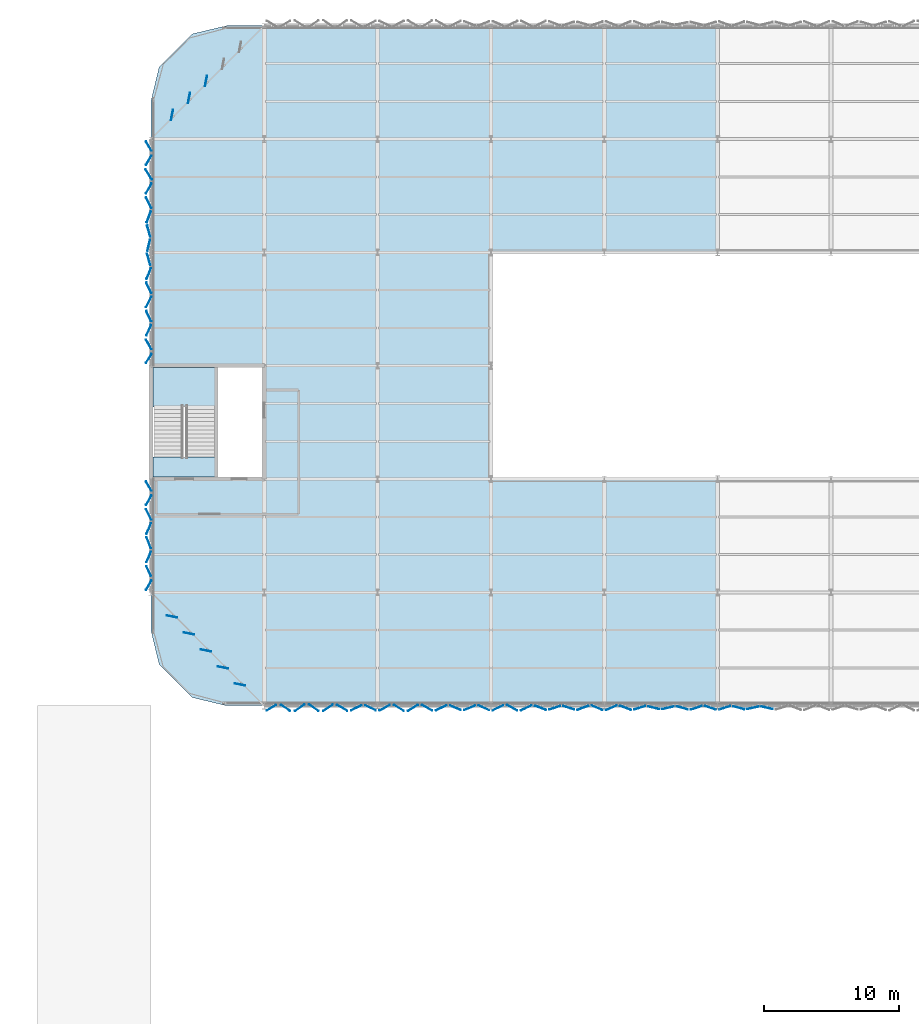
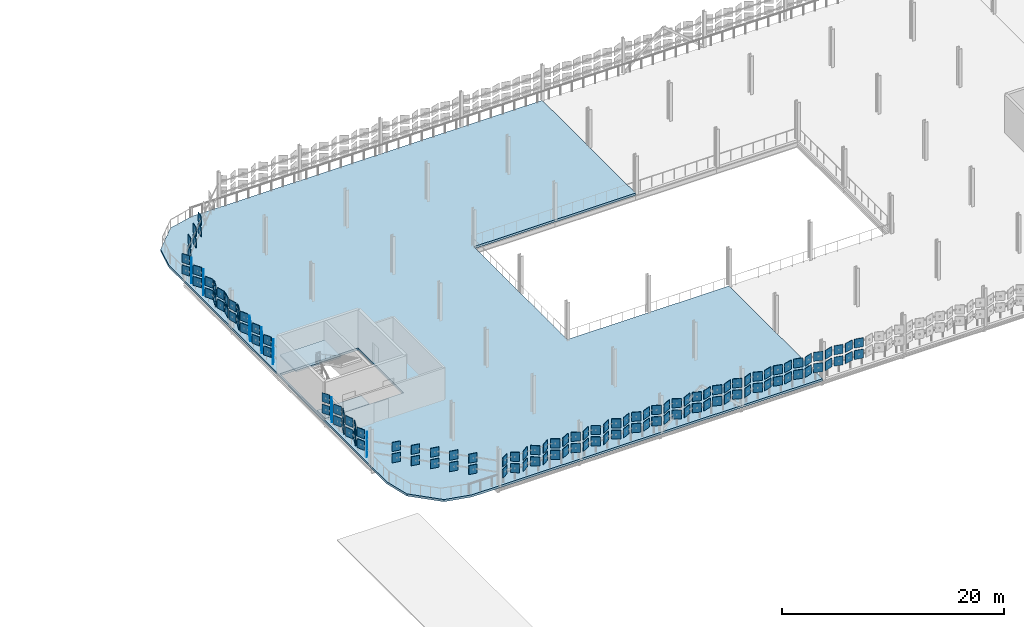
# One storey, part 39 of 69: 136 plates, 3 slabs, 1 element without a shape of its own.
"""IFC4 building model written with IfcOpenShell, lengths in metres."""

from ifc_helpers import new_model, si_unit, direction, frame, origin, origin_2d, place, context, subcontext, project, spatial, polyline, rectangle, outline, extrude, material, layer, layer_set, type_object, element, aggregate, save


model = new_model("IFC4")

# Units and contexts
model_context = context("Model", 3, precision=1e-05, world=origin(), true_north=direction((0.0, 1.0)))
body_context = subcontext(model_context, "Body", "Model", "MODEL_VIEW")
ifc_project = project(units=[si_unit("LENGTHUNIT", "METRE"), si_unit("AREAUNIT", "SQUARE_METRE"), si_unit("VOLUMEUNIT", "CUBIC_METRE"), si_unit("PLANEANGLEUNIT", "RADIAN"), si_unit("MASSUNIT", "GRAM", prefix="KILO")], contexts=[model_context])

# Site, building, storey
site_placement = place(None, origin())
site = spatial("IfcSite", under=ifc_project, at=site_placement, CompositionType="ELEMENT")
building_placement = place(site_placement, origin())
building = spatial("IfcBuilding", under=site, at=building_placement, Name="Qalvenar Corner Mobility Hub", CompositionType="ELEMENT")
storey_placement = place(building_placement, frame((0.0, 0.0, 13.199951171875)))
storey = spatial("IfcBuildingStorey", under=building, at=storey_placement, Name="L03", CompositionType="ELEMENT", Elevation=13.199951171875)

# Plates
ifc_material_1 = material(Name="Verdigris-Celadon Anodised Aluminium", Category="aluminium")
ifc_layer_1 = layer(ifc_material_1, 0.0439453125)
ifc_layer_set_1 = layer_set([ifc_layer_1], Name="Verdigris-Celadon Anodised Aluminium")
plate_type_1 = type_object("IfcPlateType", Name="PLT-XC-L3-CRN", PredefinedType="SHEET", material=ifc_layer_set_1)
for number, where, z_axis, x_axis, name in (
    (1, (67.72509765625, 67.0400390625, 1.010009765625), (0.0, 0.0, 1.0), (0.861894788785, 0.507087145436, 0.0), "Hinged Facade Panel FP-L03-0721"),
    (2, (67.72509765625, 67.0400390625, 2.260009765625), (0.0, 0.0, 1.0), (0.861894788785, 0.507087145436, 0.0), "Hinged Facade Panel FP-L03-0722"),
    (3, (68.77490234375, 67.0400390625, 1.010009765625), (0.0, 0.0, 1.0), (0.841981910079, -0.539505758171, 0.0), "Hinged Facade Panel FP-L03-0723"),
    (4, (68.77490234375, 67.0400390625, 2.260009765625), (0.0, 0.0, 1.0), (0.841981910079, -0.539505758171, 0.0), "Hinged Facade Panel FP-L03-0724"),
    (5, (58.639892578125, 83.47509765625, 1.010009765625), (0.0, 0.0, 1.0), (0.507087145436, -0.861894788785, 0.0), "Hinged Facade Panel FP-L03-0977"),
    (6, (58.639892578125, 83.47509765625, 2.260009765625), (0.0, 0.0, 1.0), (0.507087145436, -0.861894788785, 0.0), "Hinged Facade Panel FP-L03-0978"),
    (7, (58.639892578125, 82.425048828125, 1.010009765625), (0.0, 0.0, 1.0), (-0.473627127217, -0.88072546481, 0.0), "Hinged Facade Panel FP-L03-0979"),
    (8, (58.639892578125, 82.425048828125, 2.260009765625), (0.0, 0.0, 1.0), (-0.473627127217, -0.88072546481, 0.0), "Hinged Facade Panel FP-L03-0980"),
    (9, (58.639892578125, 77.175048828125, 1.010009765625), (0.0, 0.0, 1.0), (0.427515649049, -0.904007947873, 0.0), "Hinged Facade Panel FP-L03-0989"),
    (10, (58.639892578125, 77.175048828125, 2.260009765625), (0.0, 0.0, 1.0), (0.427515649049, -0.904007947873, 0.0), "Hinged Facade Panel FP-L03-0990"),
    (11, (58.639892578125, 76.125, 1.010009765625), (0.0, 0.0, 1.0), (-0.507538362961, -0.861629160442, 0.0), "Hinged Facade Panel FP-L03-0991"),
    (12, (58.639892578125, 76.125, 2.260009765625), (0.0, 0.0, 1.0), (-0.507538362961, -0.861629160442, 0.0), "Hinged Facade Panel FP-L03-0992"),
    (13, (58.639892578125, 108.675048828125, 1.010009765625), (0.0, 0.0, 1.0), (0.507087145436, -0.861894788785, 0.0), "Hinged Facade Panel FP-L03-0993"),
    (14, (58.639892578125, 108.675048828125, 2.260009765625), (0.0, 0.0, 1.0), (0.507087145436, -0.861894788785, 0.0), "Hinged Facade Panel FP-L03-0994"),
    (15, (58.639892578125, 107.625, 1.010009765625), (0.0, 0.0, 1.0), (-0.511593044351, -0.859227884191, 0.0), "Hinged Facade Panel FP-L03-0995"),
    (16, (58.639892578125, 107.625, 2.260009765625), (0.0, 0.0, 1.0), (-0.511593044351, -0.859227884191, 0.0), "Hinged Facade Panel FP-L03-0996"),
    (17, (58.639892578125, 93.97509765625, 1.010009765625), (0.0, 0.0, 1.0), (0.469933808689, -0.882701657102, 0.0), "Hinged Facade Panel FP-L03-1021"),
    (18, (58.639892578125, 93.97509765625, 2.260009765625), (0.0, 0.0, 1.0), (0.469933808689, -0.882701657102, 0.0), "Hinged Facade Panel FP-L03-1022"),
    (19, (58.639892578125, 92.925048828125, 1.010009765625), (0.0, 0.0, 1.0), (-0.550480740085, -0.834847863263, 0.0), "Hinged Facade Panel FP-L03-1023"),
    (20, (58.639892578125, 92.925048828125, 2.260009765625), (0.0, 0.0, 1.0), (-0.550480740085, -0.834847863263, 0.0), "Hinged Facade Panel FP-L03-1024"),
    (21, (60.366943359375, 73.806884765625, 1.010009765625), (0.0, 0.0, 1.0), (0.981627183448, -0.190808995377, 0.0), "Corner Hinged Panel FPC-L03-1041"),
    (22, (61.626953125, 72.546875, 1.010009765625), (0.0, 0.0, 1.0), (0.981627183448, -0.190808995377, 0.0), "Corner Hinged Panel FPC-L03-1042"),
    (23, (62.886962890625, 71.286865234375, 1.010009765625), (0.0, 0.0, 1.0), (0.981627183448, -0.190808995377, 0.0), "Corner Hinged Panel FPC-L03-1043"),
    (24, (64.14697265625, 70.02685546875, 1.010009765625), (0.0, 0.0, 1.0), (0.981627183448, -0.190808995377, 0.0), "Corner Hinged Panel FPC-L03-1044"),
    (25, (65.406982421875, 68.766845703125, 1.010009765625), (0.0, 0.0, 1.0), (0.981627183448, -0.190808995377, 0.0), "Corner Hinged Panel FPC-L03-1045"),
    (26, (60.366943359375, 73.806884765625, 2.260009765625), (0.0, 0.0, 1.0), (0.981627183448, -0.190808995377, 0.0), "Corner Hinged Panel FPC-L03-1046"),
    (27, (61.626953125, 72.546875, 2.260009765625), (0.0, 0.0, 1.0), (0.981627183448, -0.190808995377, 0.0), "Corner Hinged Panel FPC-L03-1047"),
    (28, (62.886962890625, 71.286865234375, 2.260009765625), (0.0, 0.0, 1.0), (0.981627183448, -0.190808995377, 0.0), "Corner Hinged Panel FPC-L03-1048"),
    (29, (64.14697265625, 70.02685546875, 2.260009765625), (0.0, 0.0, 1.0), (0.981627183448, -0.190808995377, 0.0), "Corner Hinged Panel FPC-L03-1049"),
    (30, (65.406982421875, 68.766845703125, 2.260009765625), (0.0, 0.0, 1.0), (0.981627183448, -0.190808995377, 0.0), "Corner Hinged Panel FPC-L03-1050"),
    (31, (62.886962890625, 113.51318359375, 1.010009765625), (0.0, 0.0, 1.0), (-0.190808995377, -0.981627183448, 0.0), "Corner Hinged Panel FPC-L03-1073"),
    (32, (61.626953125, 112.253173828125, 1.010009765625), (0.0, 0.0, 1.0), (-0.190808995377, -0.981627183448, 0.0), "Corner Hinged Panel FPC-L03-1074"),
    (33, (60.366943359375, 110.9931640625, 1.010009765625), (0.0, 0.0, 1.0), (-0.190808995377, -0.981627183448, 0.0), "Corner Hinged Panel FPC-L03-1075"),
    (34, (62.886962890625, 113.51318359375, 2.260009765625), (0.0, 0.0, 1.0), (-0.190808995377, -0.981627183448, 0.0), "Corner Hinged Panel FPC-L03-1078"),
    (35, (61.626953125, 112.253173828125, 2.260009765625), (0.0, 0.0, 1.0), (-0.190808995377, -0.981627183448, 0.0), "Corner Hinged Panel FPC-L03-1079"),
    (36, (60.366943359375, 110.9931640625, 2.260009765625), (0.0, 0.0, 1.0), (-0.190808995377, -0.981627183448, 0.0), "Corner Hinged Panel FPC-L03-1080"),
):
    element("IfcPlate", number, at=place(storey_placement, frame(where, z_axis=z_axis, x_axis=x_axis)), inside=storey, type_object=plate_type_1, Name=name, PredefinedType="SHEET", context=body_context, shape_type="SweptSolid", body=[
        extrude(rectangle(XDim=0.800048828125, YDim=0.0439453125, at=origin_2d()), origin(), (0.0, 0.0, 1.0), 0.97998046875),
    ])
ifc_layer_2 = layer(ifc_material_1, 0.0419921875)
ifc_layer_set_2 = layer_set([ifc_layer_2], Name="Verdigris-Celadon Anodised Aluminium")
plate_type_2 = type_object("IfcPlateType", Name="PLT-XC-L3-STD", PredefinedType="SHEET", material=ifc_layer_set_2)
for number, where, z_axis, x_axis, name in (
    (37, (69.824951171875, 67.0400390625, 1.010009765625), (0.0, 0.0, 1.0), (0.819152044289, 0.573576436351, 0.0), "Hinged Facade Panel FP-L03-0725"),
    (38, (69.824951171875, 67.0400390625, 2.260009765625), (0.0, 0.0, 1.0), (0.819152044289, 0.573576436351, 0.0), "Hinged Facade Panel FP-L03-0726"),
    (39, (70.875, 67.0400390625, 1.010009765625), (0.0, 0.0, 1.0), (0.819152044289, -0.573576436351, 0.0), "Hinged Facade Panel FP-L03-0727"),
    (40, (70.875, 67.0400390625, 2.260009765625), (0.0, 0.0, 1.0), (0.819152044289, -0.573576436351, 0.0), "Hinged Facade Panel FP-L03-0728"),
    (41, (71.925048828125, 67.0400390625, 1.010009765625), (0.0, 0.0, 1.0), (0.830595899196, 0.556875616488, 0.0), "Hinged Facade Panel FP-L03-0729"),
    (42, (71.925048828125, 67.0400390625, 2.260009765625), (0.0, 0.0, 1.0), (0.830595899196, 0.556875616488, 0.0), "Hinged Facade Panel FP-L03-0730"),
    (43, (72.97509765625, 67.0400390625, 1.010009765625), (0.0, 0.0, 1.0), (0.867852178471, -0.496822499816, 0.0), "Hinged Facade Panel FP-L03-0731"),
    (44, (72.97509765625, 67.0400390625, 2.260009765625), (0.0, 0.0, 1.0), (0.867852178471, -0.496822499816, 0.0), "Hinged Facade Panel FP-L03-0732"),
    (45, (74.02490234375, 67.0400390625, 1.010009765625), (0.0, 0.0, 1.0), (0.894466613728, 0.447134741355, 0.0), "Hinged Facade Panel FP-L03-0733"),
    (46, (74.02490234375, 67.0400390625, 2.260009765625), (0.0, 0.0, 1.0), (0.894466613728, 0.447134741355, 0.0), "Hinged Facade Panel FP-L03-0734"),
    (47, (75.074951171875, 67.0400390625, 1.010009765625), (0.0, 0.0, 1.0), (0.897873953312, -0.440252613806, 0.0), "Hinged Facade Panel FP-L03-0735"),
    (48, (75.074951171875, 67.0400390625, 2.260009765625), (0.0, 0.0, 1.0), (0.897873953312, -0.440252613806, 0.0), "Hinged Facade Panel FP-L03-0736"),
    (49, (76.125, 67.0400390625, 1.010009765625), (0.0, 0.0, 1.0), (0.880146162961, 0.474702782617, 0.0), "Hinged Facade Panel FP-L03-0737"),
    (50, (76.125, 67.0400390625, 2.260009765625), (0.0, 0.0, 1.0), (0.880146162961, 0.474702782617, 0.0), "Hinged Facade Panel FP-L03-0738"),
    (51, (77.175048828125, 67.0400390625, 1.010009765625), (0.0, 0.0, 1.0), (0.856717518865, -0.515785898285, 0.0), "Hinged Facade Panel FP-L03-0739"),
    (52, (77.175048828125, 67.0400390625, 2.260009765625), (0.0, 0.0, 1.0), (0.856717518865, -0.515785898285, 0.0), "Hinged Facade Panel FP-L03-0740"),
    (53, (78.22509765625, 67.0400390625, 1.010009765625), (0.0, 0.0, 1.0), (0.850444053699, 0.526065501177, 0.0), "Hinged Facade Panel FP-L03-0741"),
    (54, (78.22509765625, 67.0400390625, 2.260009765625), (0.0, 0.0, 1.0), (0.850444053699, 0.526065501177, 0.0), "Hinged Facade Panel FP-L03-0742"),
    (55, (79.27490234375, 67.0400390625, 1.010009765625), (0.0, 0.0, 1.0), (0.871128118983, -0.491055801632, 0.0), "Hinged Facade Panel FP-L03-0743"),
    (56, (79.27490234375, 67.0400390625, 2.260009765625), (0.0, 0.0, 1.0), (0.871128118983, -0.491055801632, 0.0), "Hinged Facade Panel FP-L03-0744"),
    (57, (80.324951171875, 67.0400390625, 1.010009765625), (0.0, 0.0, 1.0), (0.903709265369, 0.428146661421, 0.0), "Hinged Facade Panel FP-L03-0745"),
    (58, (80.324951171875, 67.0400390625, 2.260009765625), (0.0, 0.0, 1.0), (0.903709265369, 0.428146661421, 0.0), "Hinged Facade Panel FP-L03-0746"),
    (59, (81.375, 67.0400390625, 1.010009765625), (0.0, 0.0, 1.0), (0.926134141791, -0.377194315187, 0.0), "Hinged Facade Panel FP-L03-0747"),
    (60, (81.375, 67.0400390625, 2.260009765625), (0.0, 0.0, 1.0), (0.926134141791, -0.377194315187, 0.0), "Hinged Facade Panel FP-L03-0748"),
    (61, (82.425048828125, 67.0400390625, 1.010009765625), (0.0, 0.0, 1.0), (0.928615402141, 0.371043710237, 0.0), "Hinged Facade Panel FP-L03-0749"),
    (62, (82.425048828125, 67.0400390625, 2.260009765625), (0.0, 0.0, 1.0), (0.928615402141, 0.371043710237, 0.0), "Hinged Facade Panel FP-L03-0750"),
    (63, (83.47509765625, 67.0400390625, 1.010009765625), (0.0, 0.0, 1.0), (0.913332365617, -0.407214918582, 0.0), "Hinged Facade Panel FP-L03-0751"),
    (64, (83.47509765625, 67.0400390625, 2.260009765625), (0.0, 0.0, 1.0), (0.913332365617, -0.407214918582, 0.0), "Hinged Facade Panel FP-L03-0752"),
    (65, (84.52490234375, 67.0400390625, 1.010009765625), (0.0, 0.0, 1.0), (0.893136003, 0.449786705168, 0.0), "Hinged Facade Panel FP-L03-0753"),
    (66, (84.52490234375, 67.0400390625, 2.260009765625), (0.0, 0.0, 1.0), (0.893136003, 0.449786705168, 0.0), "Hinged Facade Panel FP-L03-0754"),
    (67, (85.574951171875, 67.0400390625, 1.010009765625), (0.0, 0.0, 1.0), (0.888136448814, -0.459579860621, 0.0), "Hinged Facade Panel FP-L03-0755"),
    (68, (85.574951171875, 67.0400390625, 2.260009765625), (0.0, 0.0, 1.0), (0.888136448814, -0.459579860621, 0.0), "Hinged Facade Panel FP-L03-0756"),
    (69, (86.625, 67.0400390625, 1.010009765625), (0.0, 0.0, 1.0), (0.906455253421, 0.422301874901, 0.0), "Hinged Facade Panel FP-L03-0757"),
    (70, (86.625, 67.0400390625, 2.260009765625), (0.0, 0.0, 1.0), (0.906455253421, 0.422301874901, 0.0), "Hinged Facade Panel FP-L03-0758"),
    (71, (87.675048828125, 67.0400390625, 1.010009765625), (0.0, 0.0, 1.0), (0.934142197566, -0.356901043325, 0.0), "Hinged Facade Panel FP-L03-0759"),
    (72, (87.675048828125, 67.0400390625, 2.260009765625), (0.0, 0.0, 1.0), (0.934142197566, -0.356901043325, 0.0), "Hinged Facade Panel FP-L03-0760"),
    (73, (88.72509765625, 67.0400390625, 1.010009765625), (0.0, 0.0, 1.0), (0.95234257628, 0.305030518809, 0.0), "Hinged Facade Panel FP-L03-0761"),
    (74, (88.72509765625, 67.0400390625, 2.260009765625), (0.0, 0.0, 1.0), (0.95234257628, 0.305030518809, 0.0), "Hinged Facade Panel FP-L03-0762"),
    (75, (89.77490234375, 67.0400390625, 1.010009765625), (0.0, 0.0, 1.0), (0.954031326134, -0.299706904751, 0.0), "Hinged Facade Panel FP-L03-0763"),
    (76, (89.77490234375, 67.0400390625, 2.260009765625), (0.0, 0.0, 1.0), (0.954031326134, -0.299706904751, 0.0), "Hinged Facade Panel FP-L03-0764"),
    (77, (90.824951171875, 67.0400390625, 1.010009765625), (0.0, 0.0, 1.0), (0.941352819014, 0.337423873096, 0.0), "Hinged Facade Panel FP-L03-0765"),
    (78, (90.824951171875, 67.0400390625, 2.260009765625), (0.0, 0.0, 1.0), (0.941352819014, 0.337423873096, 0.0), "Hinged Facade Panel FP-L03-0766"),
    (79, (91.875, 67.0400390625, 1.010009765625), (0.0, 0.0, 1.0), (0.924546033612, -0.38107037635, 0.0), "Hinged Facade Panel FP-L03-0767"),
    (80, (91.875, 67.0400390625, 2.260009765625), (0.0, 0.0, 1.0), (0.924546033612, -0.38107037635, 0.0), "Hinged Facade Panel FP-L03-0768"),
    (81, (92.925048828125, 67.0400390625, 1.010009765625), (0.0, 0.0, 1.0), (0.920641188263, 0.390409787882, 0.0), "Hinged Facade Panel FP-L03-0769"),
    (82, (92.925048828125, 67.0400390625, 2.260009765625), (0.0, 0.0, 1.0), (0.920641188263, 0.390409787882, 0.0), "Hinged Facade Panel FP-L03-0770"),
    (83, (93.97509765625, 67.0400390625, 1.010009765625), (0.0, 0.0, 1.0), (0.936366219035, -0.351024648492, 0.0), "Hinged Facade Panel FP-L03-0771"),
    (84, (93.97509765625, 67.0400390625, 2.260009765625), (0.0, 0.0, 1.0), (0.936366219035, -0.351024648492, 0.0), "Hinged Facade Panel FP-L03-0772"),
    (85, (95.02490234375, 67.0400390625, 1.010009765625), (0.0, 0.0, 1.0), (0.958968313515, 0.283513268955, 0.0), "Hinged Facade Panel FP-L03-0773"),
    (86, (95.02490234375, 67.0400390625, 2.260009765625), (0.0, 0.0, 1.0), (0.958968313515, 0.283513268955, 0.0), "Hinged Facade Panel FP-L03-0774"),
    (87, (96.074951171875, 67.0400390625, 1.010009765625), (0.0, 0.0, 1.0), (0.972937431695, -0.231068721395, 0.0), "Hinged Facade Panel FP-L03-0775"),
    (88, (96.074951171875, 67.0400390625, 2.260009765625), (0.0, 0.0, 1.0), (0.972937431695, -0.231068721395, 0.0), "Hinged Facade Panel FP-L03-0776"),
    (89, (97.125, 67.0400390625, 1.010009765625), (0.0, 0.0, 1.0), (0.973975967279, 0.226651307437, 0.0), "Hinged Facade Panel FP-L03-0777"),
    (90, (97.125, 67.0400390625, 2.260009765625), (0.0, 0.0, 1.0), (0.973975967279, 0.226651307437, 0.0), "Hinged Facade Panel FP-L03-0778"),
    (91, (98.175048828125, 67.0400390625, 1.010009765625), (0.0, 0.0, 1.0), (0.964049041264, -0.265724379832, 0.0), "Hinged Facade Panel FP-L03-0779"),
    (92, (98.175048828125, 67.0400390625, 2.260009765625), (0.0, 0.0, 1.0), (0.964049041264, -0.265724379832, 0.0), "Hinged Facade Panel FP-L03-0780"),
    (93, (99.22509765625, 67.0400390625, 1.010009765625), (0.0, 0.0, 1.0), (0.950678271124, 0.310178698193, 0.0), "Hinged Facade Panel FP-L03-0781"),
    (94, (99.22509765625, 67.0400390625, 2.260009765625), (0.0, 0.0, 1.0), (0.950678271124, 0.310178698193, 0.0), "Hinged Facade Panel FP-L03-0782"),
    (95, (100.27490234375, 67.0400390625, 1.010009765625), (0.0, 0.0, 1.0), (0.94776841001, -0.318959309298, 0.0), "Hinged Facade Panel FP-L03-0783"),
    (96, (100.27490234375, 67.0400390625, 2.260009765625), (0.0, 0.0, 1.0), (0.94776841001, -0.318959309298, 0.0), "Hinged Facade Panel FP-L03-0784"),
    (97, (101.324951171875, 67.0400390625, 1.010009765625), (0.0, 0.0, 1.0), (0.957621645958, 0.288029136015, 0.0), "Hinged Facade Panel FP-L03-0785"),
    (98, (101.324951171875, 67.0400390625, 2.260009765625), (0.0, 0.0, 1.0), (0.957621645958, 0.288029136015, 0.0), "Hinged Facade Panel FP-L03-0786"),
    (99, (102.375, 67.0400390625, 1.010009765625), (0.0, 0.0, 1.0), (0.970674539091, -0.240397460805, 0.0), "Hinged Facade Panel FP-L03-0787"),
    (100, (102.375, 67.0400390625, 2.260009765625), (0.0, 0.0, 1.0), (0.970674539091, -0.240397460805, 0.0), "Hinged Facade Panel FP-L03-0788"),
    (101, (103.425048828125, 67.0400390625, 1.010009765625), (0.0, 0.0, 1.0), (0.977819807207, 0.209447904343, 0.0), "Hinged Facade Panel FP-L03-0789"),
    (102, (103.425048828125, 67.0400390625, 2.260009765625), (0.0, 0.0, 1.0), (0.977819807207, 0.209447904343, 0.0), "Hinged Facade Panel FP-L03-0790"),
    (103, (104.47509765625, 67.0400390625, 1.010009765625), (0.0, 0.0, 1.0), (0.973817497477, -0.227331215647, 0.0), "Hinged Facade Panel FP-L03-0791"),
    (104, (104.47509765625, 67.0400390625, 2.260009765625), (0.0, 0.0, 1.0), (0.973817497477, -0.227331215647, 0.0), "Hinged Facade Panel FP-L03-0792"),
    (105, (58.639892578125, 81.375, 1.010009765625), (0.0, 0.0, 1.0), (0.448227204503, -0.893919668171, 0.0), "Hinged Facade Panel FP-L03-0981"),
    (106, (58.639892578125, 81.375, 2.260009765625), (0.0, 0.0, 1.0), (0.448227204503, -0.893919668171, 0.0), "Hinged Facade Panel FP-L03-0982"),
    (107, (58.639892578125, 80.324951171875, 1.010009765625), (0.0, 0.0, 1.0), (-0.390731128489, -0.920504853452, 0.0), "Hinged Facade Panel FP-L03-0983"),
    (108, (58.639892578125, 80.324951171875, 2.260009765625), (0.0, 0.0, 1.0), (-0.390731128489, -0.920504853452, 0.0), "Hinged Facade Panel FP-L03-0984"),
    (109, (58.639892578125, 79.27490234375, 1.010009765625), (0.0, 0.0, 1.0), (0.363901585079, -0.931437403359, 0.0), "Hinged Facade Panel FP-L03-0985"),
    (110, (58.639892578125, 79.27490234375, 2.260009765625), (0.0, 0.0, 1.0), (0.363901585079, -0.931437403359, 0.0), "Hinged Facade Panel FP-L03-0986"),
    (111, (58.639892578125, 78.22509765625, 1.010009765625), (0.0, 0.0, 1.0), (-0.389284721396, -0.921117476594, 0.0), "Hinged Facade Panel FP-L03-0987"),
    (112, (58.639892578125, 78.22509765625, 2.260009765625), (0.0, 0.0, 1.0), (-0.389284721396, -0.921117476594, 0.0), "Hinged Facade Panel FP-L03-0988"),
    (113, (58.639892578125, 106.574951171875, 1.010009765625), (0.0, 0.0, 1.0), (0.524431797303, -0.851452459024, 0.0), "Hinged Facade Panel FP-L03-0997"),
    (114, (58.639892578125, 106.574951171875, 2.260009765625), (0.0, 0.0, 1.0), (0.524431797303, -0.851452459024, 0.0), "Hinged Facade Panel FP-L03-0998"),
    (115, (58.639892578125, 105.52490234375, 1.010009765625), (0.0, 0.0, 1.0), (-0.507538362961, -0.861629160442, 0.0), "Hinged Facade Panel FP-L03-0999"),
    (116, (58.639892578125, 105.52490234375, 2.260009765625), (0.0, 0.0, 1.0), (-0.507538362961, -0.861629160442, 0.0), "Hinged Facade Panel FP-L03-1000"),
    (117, (58.639892578125, 104.47509765625, 1.010009765625), (0.0, 0.0, 1.0), (0.443696948396, -0.896176889896, 0.0), "Hinged Facade Panel FP-L03-1001"),
    (118, (58.639892578125, 104.47509765625, 2.260009765625), (0.0, 0.0, 1.0), (0.443696948396, -0.896176889896, 0.0), "Hinged Facade Panel FP-L03-1002"),
    (119, (58.639892578125, 103.425048828125, 1.010009765625), (0.0, 0.0, 1.0), (-0.348735628579, -0.937221137918, 0.0), "Hinged Facade Panel FP-L03-1003"),
    (120, (58.639892578125, 103.425048828125, 2.260009765625), (0.0, 0.0, 1.0), (-0.348735628579, -0.937221137918, 0.0), "Hinged Facade Panel FP-L03-1004"),
    (121, (58.639892578125, 102.375, 1.010009765625), (0.0, 0.0, 1.0), (0.264041392973, -0.964511349232, 0.0), "Hinged Facade Panel FP-L03-1005"),
    (122, (58.639892578125, 102.375, 2.260009765625), (0.0, 0.0, 1.0), (0.264041392973, -0.964511349232, 0.0), "Hinged Facade Panel FP-L03-1006"),
    (123, (58.639892578125, 101.324951171875, 1.010009765625), (0.0, 0.0, 1.0), (-0.224951054344, -0.974370064785, 0.0), "Hinged Facade Panel FP-L03-1007"),
    (124, (58.639892578125, 101.324951171875, 2.260009765625), (0.0, 0.0, 1.0), (-0.224951054344, -0.974370064785, 0.0), "Hinged Facade Panel FP-L03-1008"),
    (125, (58.639892578125, 100.27490234375, 1.010009765625), (0.0, 0.0, 1.0), (0.272951935517, -0.962027671586, 0.0), "Hinged Facade Panel FP-L03-1009"),
    (126, (58.639892578125, 100.27490234375, 2.260009765625), (0.0, 0.0, 1.0), (0.272951935517, -0.962027671586, 0.0), "Hinged Facade Panel FP-L03-1010"),
    (127, (58.639892578125, 99.22509765625, 1.010009765625), (0.0, 0.0, 1.0), (-0.369422406303, -0.929261580892, 0.0), "Hinged Facade Panel FP-L03-1011"),
    (128, (58.639892578125, 99.22509765625, 2.260009765625), (0.0, 0.0, 1.0), (-0.369422406303, -0.929261580892, 0.0), "Hinged Facade Panel FP-L03-1012"),
    (129, (58.639892578125, 98.175048828125, 1.010009765625), (0.0, 0.0, 1.0), (0.430353559402, -0.902660408963, 0.0), "Hinged Facade Panel FP-L03-1013"),
    (130, (58.639892578125, 98.175048828125, 2.260009765625), (0.0, 0.0, 1.0), (0.430353559402, -0.902660408963, 0.0), "Hinged Facade Panel FP-L03-1014"),
    (131, (58.639892578125, 97.125, 1.010009765625), (0.0, 0.0, 1.0), (-0.442758231039, -0.896641036785, 0.0), "Hinged Facade Panel FP-L03-1015"),
    (132, (58.639892578125, 97.125, 2.260009765625), (0.0, 0.0, 1.0), (-0.442758231039, -0.896641036785, 0.0), "Hinged Facade Panel FP-L03-1016"),
    (133, (58.639892578125, 96.074951171875, 1.010009765625), (0.0, 0.0, 1.0), (0.428146661421, -0.903709265369, 0.0), "Hinged Facade Panel FP-L03-1017"),
    (134, (58.639892578125, 96.074951171875, 2.260009765625), (0.0, 0.0, 1.0), (0.428146661421, -0.903709265369, 0.0), "Hinged Facade Panel FP-L03-1018"),
    (135, (58.639892578125, 95.02490234375, 1.010009765625), (0.0, 0.0, 1.0), (-0.427042253013, -0.904231670614, 0.0), "Hinged Facade Panel FP-L03-1019"),
    (136, (58.639892578125, 95.02490234375, 2.260009765625), (0.0, 0.0, 1.0), (-0.427042253013, -0.904231670614, 0.0), "Hinged Facade Panel FP-L03-1020"),
):
    element("IfcPlate", number, at=place(storey_placement, frame(where, z_axis=z_axis, x_axis=x_axis)), inside=storey, type_object=plate_type_2, Name=name, PredefinedType="SHEET", context=body_context, shape_type="SweptSolid", body=[
        extrude(rectangle(XDim=0.860107421875, YDim=0.0419921875, at=origin_2d()), origin(), (0.0, 0.0, 1.0), 0.97998046875),
    ])

# Slab
ifc_material_2 = material(Name="Concrete C35/45", Category="concrete")
ifc_layer_3 = layer(ifc_material_2, 0.239990234375)
ifc_layer_set_3 = layer_set([ifc_layer_3], Name="Concrete C35/45")
slab_type_1 = type_object("IfcSlabType", Name="SLB-COMP200", PredefinedType="FLOOR", material=ifc_layer_set_3)
slab_1_placement = place(storey_placement, frame((0.0, 0.0, -0.239990234375)))
element("IfcSlab", 137, at=slab_1_placement, inside=storey, type_object=slab_type_1, Name="Composite Deck V4-W-L03", PredefinedType="FLOOR", context=body_context, shape_type="SweptSolid", body=[
    extrude(outline(polyline([(64.39990234375, 67.199951171875), (100.800048828125, 67.199951171875), (100.800048828125, 84.0), (84.0, 84.0), (84.0, 100.800048828125), (100.800048828125, 100.800048828125), (100.800048828125, 117.60009765625), (64.39990234375, 117.60009765625), (61.857666015625, 116.989501953125), (59.410400390625, 114.542236328125), (58.800048828125, 112.0), (58.800048828125, 72.800048828125), (59.410400390625, 70.2578125), (61.857666015625, 67.810302734375), (64.39990234375, 67.199951171875)]), holes=[polyline([(58.929931640625, 84.1298828125), (67.070068359375, 84.1298828125), (67.070068359375, 92.27001953125), (58.929931640625, 92.27001953125), (58.929931640625, 84.1298828125)])]), origin(), (0.0, 0.0, 1.0), 0.239990234375),
])

# Stair, slab
stair_type = type_object("IfcStairType", Name="STR-200-H42", PredefinedType="HALF_TURN_STAIR", material=ifc_material_2)
stair_placement = place(storey_placement, origin())
stair = element("IfcStair", 138, at=stair_placement, inside=storey, type_object=stair_type, Name="Exit Stair ST3 L03-L04", PredefinedType="HALF_TURN_STAIR")
ifc_layer_4 = layer(ifc_material_2, 0.179931640625)
ifc_layer_set_4 = layer_set([ifc_layer_4], Name="Concrete C35/45")
slab_type_2 = type_object("IfcSlabType", Name="SLB-LND180", PredefinedType="LANDING", material=ifc_layer_set_4)
slab_2_placement = place(storey_placement, frame((0.0, 0.0, 1.920166015625)))
slab_2 = element("IfcSlab", 139, at=slab_2_placement, type_object=slab_type_2, Name="ST3 landing 1", PredefinedType="LANDING", context=body_context, shape_type="SweptSolid", body=[
    extrude(outline(polyline([(58.93994140625, 89.35009765625), (63.580078125, 89.35009765625), (63.580078125, 92.260009765625), (58.93994140625, 92.260009765625), (58.93994140625, 89.35009765625)])), origin(), (0.0, 0.0, 1.0), 0.179931640625),
])
aggregate(stair, [slab_2])

# Slab
ifc_layer_5 = layer(ifc_material_2, 0.175048828125)
ifc_layer_set_5 = layer_set([ifc_layer_5], Name="Concrete C35/45")
slab_type_3 = type_object("IfcSlabType", Name="SLB-LND200", PredefinedType="LANDING", material=ifc_layer_set_5)
slab_3_placement = place(storey_placement, frame((0.0, 0.0, -0.175048828125)))
element("IfcSlab", 140, at=slab_3_placement, inside=storey, type_object=slab_type_3, Name="Core Stair Arrival Landing C3-L03", PredefinedType="LANDING", context=body_context, shape_type="SweptSolid", body=[
    extrude(outline(polyline([(58.949951171875, 84.14990234375), (63.570068359375, 84.14990234375), (63.570068359375, 85.64990234375), (58.949951171875, 85.64990234375), (58.949951171875, 84.14990234375)])), origin(), (0.0, 0.0, 1.0), 0.175048828125),
])

save(model, "model.ifc")
